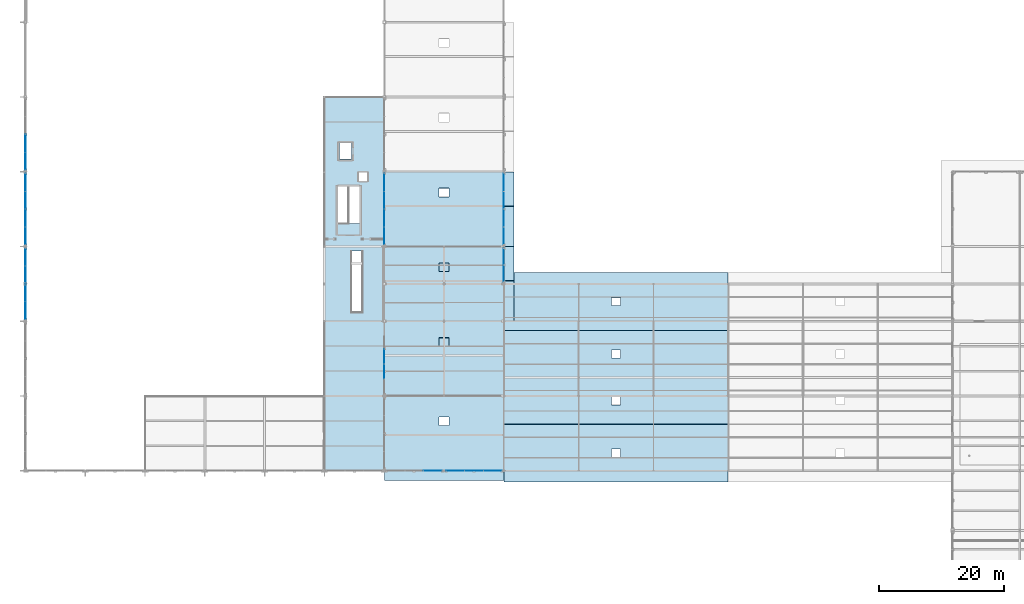
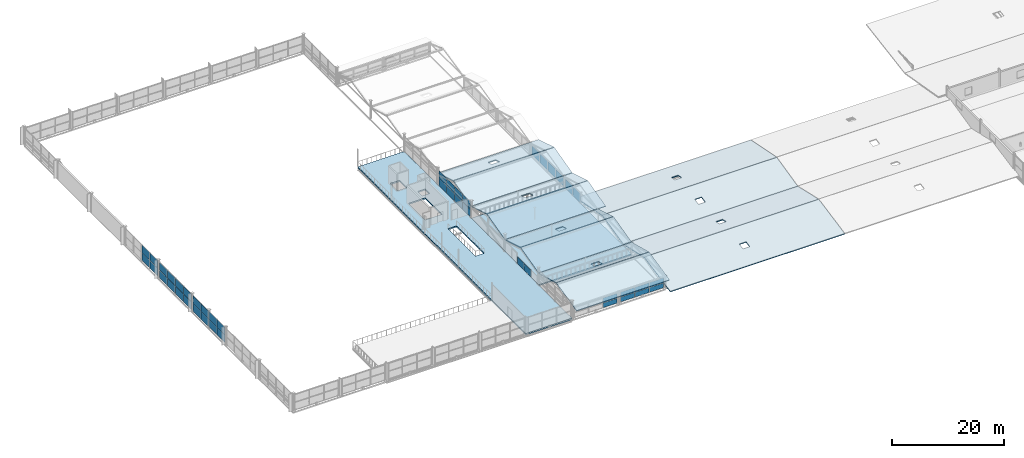
# One storey, part 93 of 117: 44 plates, 14 slabs, 9 elements without a shape of their own.
"""IFC4 building model written with IfcOpenShell, lengths in metres."""

from ifc_helpers import new_model, si_unit, direction, frame, origin, origin_2d, place, context, subcontext, project, spatial, polyline, rectangle, outline, extrude, material, layer, layer_set, type_object, element, aggregate, save


model = new_model("IFC4")

# Units and contexts
model_context = context("Model", 3, precision=1e-05, world=origin(), true_north=direction((0.0, 1.0)))
body_context = subcontext(model_context, "Body", "Model", "MODEL_VIEW")
ifc_project = project(units=[si_unit("LENGTHUNIT", "METRE"), si_unit("AREAUNIT", "SQUARE_METRE"), si_unit("VOLUMEUNIT", "CUBIC_METRE"), si_unit("PLANEANGLEUNIT", "RADIAN"), si_unit("MASSUNIT", "GRAM", prefix="KILO")], contexts=[model_context])

# Site, building, storey
site_placement = place(None, origin())
site = spatial("IfcSite", under=ifc_project, at=site_placement, CompositionType="ELEMENT")
building_placement = place(site_placement, origin())
building = spatial("IfcBuilding", under=site, at=building_placement, Name="Merenkruunu Market Hall", CompositionType="ELEMENT")
storey_placement = place(building_placement, frame((0.0, 0.0, 10.199951171875)))
storey = spatial("IfcBuildingStorey", under=building, at=storey_placement, Name="L02", CompositionType="ELEMENT", Elevation=10.199951171875)

# Curtain wall, plates
ifc_material_1 = material(Name="Powder-coated aluminium", Category="aluminium")
curtain_wall_type_1 = type_object("IfcCurtainWallType", Name="Glazed Curtain Wall CW13", PredefinedType="USERDEFINED", material=ifc_material_1)
curtain_wall_1_placement = place(storey_placement, origin())
curtain_wall_1 = element("IfcCurtainWall", 1, at=curtain_wall_1_placement, inside=storey, type_object=curtain_wall_type_1, Name="CW-L02-CWM02-009", ObjectType="GLAZED_FACADE", PredefinedType="USERDEFINED")
ifc_material_2 = material(Name="Triple low-E insulated glass", Category="glass")
ifc_layer_1 = layer(ifc_material_2, 0.035888671875)
ifc_layer_set_1 = layer_set([ifc_layer_1], Name="Triple low-E insulated glass")
plate_type_1 = type_object("IfcPlateType", Name="Curtain Wall Glazing Panel CWP05", PredefinedType="CURTAIN_PANEL", material=ifc_layer_set_1)
plate_1_placement = place(storey_placement, frame((0.0, 41.324951171875, 0.06005859375), z_axis=(0.0, 0.0, 1.0), x_axis=(0.0, 1.0, 0.0)))
plate_1 = element("IfcPlate", 2, at=plate_1_placement, type_object=plate_type_1, Name="CW13 panel 1.1", PredefinedType="CURTAIN_PANEL", context=body_context, shape_type="SweptSolid", body=[
    extrude(rectangle(XDim=2.77001953125, YDim=0.035888671875, at=origin_2d()), origin(), (0.0, 0.0, 1.0), 1.659912109375),
])
plate_2_placement = place(storey_placement, frame((0.0, 41.324951171875, 1.7802734375), z_axis=(0.0, 0.0, 1.0), x_axis=(0.0, 1.0, 0.0)))
plate_2 = element("IfcPlate", 3, at=plate_2_placement, type_object=plate_type_1, Name="CW13 panel 1.2", PredefinedType="CURTAIN_PANEL", context=body_context, shape_type="SweptSolid", body=[
    extrude(rectangle(XDim=2.77001953125, YDim=0.035888671875, at=origin_2d()), origin(), (0.0, 0.0, 1.0), 1.659912109375),
])
plate_3_placement = place(storey_placement, frame((0.0, 44.169921875, 0.06005859375), z_axis=(0.0, 0.0, 1.0), x_axis=(0.0, 1.0, 0.0)))
plate_3 = element("IfcPlate", 4, at=plate_3_placement, type_object=plate_type_1, Name="CW13 panel 2.1", PredefinedType="CURTAIN_PANEL", context=body_context, shape_type="SweptSolid", body=[
    extrude(rectangle(XDim=2.800048828125, YDim=0.035888671875, at=origin_2d()), origin(), (0.0, 0.0, 1.0), 1.659912109375),
])
plate_4_placement = place(storey_placement, frame((0.0, 44.169921875, 1.7802734375), z_axis=(0.0, 0.0, 1.0), x_axis=(0.0, 1.0, 0.0)))
plate_4 = element("IfcPlate", 5, at=plate_4_placement, type_object=plate_type_1, Name="CW13 panel 2.2", PredefinedType="CURTAIN_PANEL", context=body_context, shape_type="SweptSolid", body=[
    extrude(rectangle(XDim=2.800048828125, YDim=0.035888671875, at=origin_2d()), origin(), (0.0, 0.0, 1.0), 1.659912109375),
])
plate_5_placement = place(storey_placement, frame((0.0, 47.030029296875, 0.06005859375), z_axis=(0.0, 0.0, 1.0), x_axis=(0.0, 1.0, 0.0)))
plate_5 = element("IfcPlate", 6, at=plate_5_placement, type_object=plate_type_1, Name="CW13 panel 3.1", PredefinedType="CURTAIN_PANEL", context=body_context, shape_type="SweptSolid", body=[
    extrude(rectangle(XDim=2.800048828125, YDim=0.035888671875, at=origin_2d()), origin(), (0.0, 0.0, 1.0), 1.659912109375),
])
plate_6_placement = place(storey_placement, frame((0.0, 47.030029296875, 1.7802734375), z_axis=(0.0, 0.0, 1.0), x_axis=(0.0, 1.0, 0.0)))
plate_6 = element("IfcPlate", 7, at=plate_6_placement, type_object=plate_type_1, Name="CW13 panel 3.2", PredefinedType="CURTAIN_PANEL", context=body_context, shape_type="SweptSolid", body=[
    extrude(rectangle(XDim=2.800048828125, YDim=0.035888671875, at=origin_2d()), origin(), (0.0, 0.0, 1.0), 1.659912109375),
])
plate_7_placement = place(storey_placement, frame((0.0, 49.875, 0.06005859375), z_axis=(0.0, 0.0, 1.0), x_axis=(0.0, 1.0, 0.0)))
plate_7 = element("IfcPlate", 8, at=plate_7_placement, type_object=plate_type_1, Name="CW13 panel 4.1", PredefinedType="CURTAIN_PANEL", context=body_context, shape_type="SweptSolid", body=[
    extrude(rectangle(XDim=2.77001953125, YDim=0.035888671875, at=origin_2d()), origin(), (0.0, 0.0, 1.0), 1.659912109375),
])
plate_8_placement = place(storey_placement, frame((0.0, 49.875, 1.7802734375), z_axis=(0.0, 0.0, 1.0), x_axis=(0.0, 1.0, 0.0)))
plate_8 = element("IfcPlate", 9, at=plate_8_placement, type_object=plate_type_1, Name="CW13 panel 4.2", PredefinedType="CURTAIN_PANEL", context=body_context, shape_type="SweptSolid", body=[
    extrude(rectangle(XDim=2.77001953125, YDim=0.035888671875, at=origin_2d()), origin(), (0.0, 0.0, 1.0), 1.659912109375),
])
aggregate(curtain_wall_1, [plate_1, plate_2, plate_3, plate_4, plate_5, plate_6, plate_7, plate_8])

curtain_wall_2_placement = place(storey_placement, origin())
curtain_wall_2 = element("IfcCurtainWall", 10, at=curtain_wall_2_placement, inside=storey, type_object=curtain_wall_type_1, Name="CW-L02-CWM02-012", ObjectType="GLAZED_FACADE", PredefinedType="USERDEFINED")
plate_9_placement = place(storey_placement, frame((0.0, 53.324951171875, 0.06005859375), z_axis=(0.0, 0.0, 1.0), x_axis=(0.0, 1.0, 0.0)))
plate_9 = element("IfcPlate", 11, at=plate_9_placement, type_object=plate_type_1, Name="CW13 panel 1.1", PredefinedType="CURTAIN_PANEL", context=body_context, shape_type="SweptSolid", body=[
    extrude(rectangle(XDim=2.77001953125, YDim=0.035888671875, at=origin_2d()), origin(), (0.0, 0.0, 1.0), 1.659912109375),
])
plate_10_placement = place(storey_placement, frame((0.0, 53.324951171875, 1.7802734375), z_axis=(0.0, 0.0, 1.0), x_axis=(0.0, 1.0, 0.0)))
plate_10 = element("IfcPlate", 12, at=plate_10_placement, type_object=plate_type_1, Name="CW13 panel 1.2", PredefinedType="CURTAIN_PANEL", context=body_context, shape_type="SweptSolid", body=[
    extrude(rectangle(XDim=2.77001953125, YDim=0.035888671875, at=origin_2d()), origin(), (0.0, 0.0, 1.0), 1.659912109375),
])
plate_11_placement = place(storey_placement, frame((0.0, 56.169921875, 0.06005859375), z_axis=(0.0, 0.0, 1.0), x_axis=(0.0, 1.0, 0.0)))
plate_11 = element("IfcPlate", 13, at=plate_11_placement, type_object=plate_type_1, Name="CW13 panel 2.1", PredefinedType="CURTAIN_PANEL", context=body_context, shape_type="SweptSolid", body=[
    extrude(rectangle(XDim=2.800048828125, YDim=0.035888671875, at=origin_2d()), origin(), (0.0, 0.0, 1.0), 1.659912109375),
])
plate_12_placement = place(storey_placement, frame((0.0, 56.169921875, 1.7802734375), z_axis=(0.0, 0.0, 1.0), x_axis=(0.0, 1.0, 0.0)))
plate_12 = element("IfcPlate", 14, at=plate_12_placement, type_object=plate_type_1, Name="CW13 panel 2.2", PredefinedType="CURTAIN_PANEL", context=body_context, shape_type="SweptSolid", body=[
    extrude(rectangle(XDim=2.800048828125, YDim=0.035888671875, at=origin_2d()), origin(), (0.0, 0.0, 1.0), 1.659912109375),
])
plate_13_placement = place(storey_placement, frame((0.0, 59.030029296875, 0.06005859375), z_axis=(0.0, 0.0, 1.0), x_axis=(0.0, 1.0, 0.0)))
plate_13 = element("IfcPlate", 15, at=plate_13_placement, type_object=plate_type_1, Name="CW13 panel 3.1", PredefinedType="CURTAIN_PANEL", context=body_context, shape_type="SweptSolid", body=[
    extrude(rectangle(XDim=2.800048828125, YDim=0.035888671875, at=origin_2d()), origin(), (0.0, 0.0, 1.0), 1.659912109375),
])
plate_14_placement = place(storey_placement, frame((0.0, 59.030029296875, 1.7802734375), z_axis=(0.0, 0.0, 1.0), x_axis=(0.0, 1.0, 0.0)))
plate_14 = element("IfcPlate", 16, at=plate_14_placement, type_object=plate_type_1, Name="CW13 panel 3.2", PredefinedType="CURTAIN_PANEL", context=body_context, shape_type="SweptSolid", body=[
    extrude(rectangle(XDim=2.800048828125, YDim=0.035888671875, at=origin_2d()), origin(), (0.0, 0.0, 1.0), 1.659912109375),
])
plate_15_placement = place(storey_placement, frame((0.0, 61.875, 0.06005859375), z_axis=(0.0, 0.0, 1.0), x_axis=(0.0, 1.0, 0.0)))
plate_15 = element("IfcPlate", 17, at=plate_15_placement, type_object=plate_type_1, Name="CW13 panel 4.1", PredefinedType="CURTAIN_PANEL", context=body_context, shape_type="SweptSolid", body=[
    extrude(rectangle(XDim=2.77001953125, YDim=0.035888671875, at=origin_2d()), origin(), (0.0, 0.0, 1.0), 1.659912109375),
])
plate_16_placement = place(storey_placement, frame((0.0, 61.875, 1.7802734375), z_axis=(0.0, 0.0, 1.0), x_axis=(0.0, 1.0, 0.0)))
plate_16 = element("IfcPlate", 18, at=plate_16_placement, type_object=plate_type_1, Name="CW13 panel 4.2", PredefinedType="CURTAIN_PANEL", context=body_context, shape_type="SweptSolid", body=[
    extrude(rectangle(XDim=2.77001953125, YDim=0.035888671875, at=origin_2d()), origin(), (0.0, 0.0, 1.0), 1.659912109375),
])
aggregate(curtain_wall_2, [plate_9, plate_10, plate_11, plate_12, plate_13, plate_14, plate_15, plate_16])

curtain_wall_3_placement = place(storey_placement, origin())
curtain_wall_3 = element("IfcCurtainWall", 19, at=curtain_wall_3_placement, inside=storey, type_object=curtain_wall_type_1, Name="CW-L02-CWM02-015", ObjectType="GLAZED_FACADE", PredefinedType="USERDEFINED")
plate_17_placement = place(storey_placement, frame((0.0, 65.324951171875, 0.06005859375), z_axis=(0.0, 0.0, 1.0), x_axis=(0.0, 1.0, 0.0)))
plate_17 = element("IfcPlate", 20, at=plate_17_placement, type_object=plate_type_1, Name="CW13 panel 1.1", PredefinedType="CURTAIN_PANEL", context=body_context, shape_type="SweptSolid", body=[
    extrude(rectangle(XDim=2.77001953125, YDim=0.035888671875, at=origin_2d()), origin(), (0.0, 0.0, 1.0), 1.659912109375),
])
plate_18_placement = place(storey_placement, frame((0.0, 65.324951171875, 1.7802734375), z_axis=(0.0, 0.0, 1.0), x_axis=(0.0, 1.0, 0.0)))
plate_18 = element("IfcPlate", 21, at=plate_18_placement, type_object=plate_type_1, Name="CW13 panel 1.2", PredefinedType="CURTAIN_PANEL", context=body_context, shape_type="SweptSolid", body=[
    extrude(rectangle(XDim=2.77001953125, YDim=0.035888671875, at=origin_2d()), origin(), (0.0, 0.0, 1.0), 1.659912109375),
])
plate_19_placement = place(storey_placement, frame((0.0, 68.169921875, 0.06005859375), z_axis=(0.0, 0.0, 1.0), x_axis=(0.0, 1.0, 0.0)))
plate_19 = element("IfcPlate", 22, at=plate_19_placement, type_object=plate_type_1, Name="CW13 panel 2.1", PredefinedType="CURTAIN_PANEL", context=body_context, shape_type="SweptSolid", body=[
    extrude(rectangle(XDim=2.800048828125, YDim=0.035888671875, at=origin_2d()), origin(), (0.0, 0.0, 1.0), 1.659912109375),
])
plate_20_placement = place(storey_placement, frame((0.0, 68.169921875, 1.7802734375), z_axis=(0.0, 0.0, 1.0), x_axis=(0.0, 1.0, 0.0)))
plate_20 = element("IfcPlate", 23, at=plate_20_placement, type_object=plate_type_1, Name="CW13 panel 2.2", PredefinedType="CURTAIN_PANEL", context=body_context, shape_type="SweptSolid", body=[
    extrude(rectangle(XDim=2.800048828125, YDim=0.035888671875, at=origin_2d()), origin(), (0.0, 0.0, 1.0), 1.659912109375),
])
aggregate(curtain_wall_3, [plate_17, plate_18, plate_19, plate_20])

curtain_wall_type_2 = type_object("IfcCurtainWallType", Name="Clerestory Curtain Band CL02", PredefinedType="USERDEFINED", material=ifc_material_1)
curtain_wall_4_placement = place(storey_placement, origin())
curtain_wall_4 = element("IfcCurtainWall", 24, at=curtain_wall_4_placement, inside=storey, type_object=curtain_wall_type_2, Name="CW-L02-CWM04-158", ObjectType="CLERESTORY_BAND", PredefinedType="USERDEFINED")
ifc_layer_2 = layer(ifc_material_2, 0.035888671875)
ifc_layer_set_2 = layer_set([ifc_layer_2], Name="Triple low-E insulated glass")
plate_type_2 = type_object("IfcPlateType", Name="Curtain Wall Glazing Panel CWP07", PredefinedType="CURTAIN_PANEL", material=ifc_layer_set_2)
plate_21_placement = place(storey_placement, frame((76.800048828125, 49.9423828125, 0.06005859375), z_axis=(0.0, 0.0, 1.0), x_axis=(0.0, -1.0, 0.0)))
plate_21 = element("IfcPlate", 25, at=plate_21_placement, type_object=plate_type_2, Name="CL02 panel 1.1", PredefinedType="CURTAIN_PANEL", context=body_context, shape_type="SweptSolid", body=[
    extrude(rectangle(XDim=2.614990234375, YDim=0.035888671875, at=origin_2d()), origin(), (0.0, 0.0, 1.0), 1.97998046875),
])
plate_22_placement = place(storey_placement, frame((76.800048828125, 47.257568359375, 0.06005859375), z_axis=(0.0, 0.0, 1.0), x_axis=(0.0, -1.0, 0.0)))
plate_22 = element("IfcPlate", 26, at=plate_22_placement, type_object=plate_type_2, Name="CL02 panel 2.1", PredefinedType="CURTAIN_PANEL", context=body_context, shape_type="SweptSolid", body=[
    extrude(rectangle(XDim=2.614990234375, YDim=0.035888671875, at=origin_2d()), origin(), (0.0, 0.0, 1.0), 1.97998046875),
])
aggregate(curtain_wall_4, [plate_21, plate_22])

curtain_wall_5_placement = place(storey_placement, origin())
curtain_wall_5 = element("IfcCurtainWall", 27, at=curtain_wall_5_placement, inside=storey, type_object=curtain_wall_type_2, Name="CW-L02-CWM04-161", ObjectType="CLERESTORY_BAND", PredefinedType="USERDEFINED")
plate_23_placement = place(storey_placement, frame((76.800048828125, 61.87255859375, 0.06005859375), z_axis=(0.0, 0.0, 1.0), x_axis=(0.0, -1.0, 0.0)))
plate_23 = element("IfcPlate", 28, at=plate_23_placement, type_object=plate_type_2, Name="CL02 panel 1.1", PredefinedType="CURTAIN_PANEL", context=body_context, shape_type="SweptSolid", body=[
    extrude(rectangle(XDim=2.7548828125, YDim=0.035888671875, at=origin_2d()), origin(), (0.0, 0.0, 1.0), 1.97998046875),
])
plate_24_placement = place(storey_placement, frame((76.800048828125, 59.030029296875, 0.06005859375), z_axis=(0.0, 0.0, 1.0), x_axis=(0.0, -1.0, 0.0)))
plate_24 = element("IfcPlate", 29, at=plate_24_placement, type_object=plate_type_2, Name="CL02 panel 2.1", PredefinedType="CURTAIN_PANEL", context=body_context, shape_type="SweptSolid", body=[
    extrude(rectangle(XDim=2.7900390625, YDim=0.035888671875, at=origin_2d()), origin(), (0.0, 0.0, 1.0), 1.97998046875),
])
plate_25_placement = place(storey_placement, frame((76.800048828125, 56.169921875, 0.06005859375), z_axis=(0.0, 0.0, 1.0), x_axis=(0.0, -1.0, 0.0)))
plate_25 = element("IfcPlate", 30, at=plate_25_placement, type_object=plate_type_2, Name="CL02 panel 3.1", PredefinedType="CURTAIN_PANEL", context=body_context, shape_type="SweptSolid", body=[
    extrude(rectangle(XDim=2.7900390625, YDim=0.035888671875, at=origin_2d()), origin(), (0.0, 0.0, 1.0), 1.97998046875),
])
plate_26_placement = place(storey_placement, frame((76.800048828125, 53.327392578125, 0.06005859375), z_axis=(0.0, 0.0, 1.0), x_axis=(0.0, -1.0, 0.0)))
plate_26 = element("IfcPlate", 31, at=plate_26_placement, type_object=plate_type_2, Name="CL02 panel 4.1", PredefinedType="CURTAIN_PANEL", context=body_context, shape_type="SweptSolid", body=[
    extrude(rectangle(XDim=2.7548828125, YDim=0.035888671875, at=origin_2d()), origin(), (0.0, 0.0, 1.0), 1.97998046875),
])
aggregate(curtain_wall_5, [plate_23, plate_24, plate_25, plate_26])

curtain_wall_type_3 = type_object("IfcCurtainWallType", Name="Glazed Curtain Wall CW16", PredefinedType="USERDEFINED", material=ifc_material_1)
curtain_wall_6_placement = place(storey_placement, origin())
curtain_wall_6 = element("IfcCurtainWall", 32, at=curtain_wall_6_placement, inside=storey, type_object=curtain_wall_type_3, Name="CW-L02-CWM02-126", ObjectType="GLAZED_FACADE", PredefinedType="USERDEFINED")
ifc_layer_3 = layer(ifc_material_2, 0.035888671875)
ifc_layer_set_3 = layer_set([ifc_layer_3], Name="Triple low-E insulated glass")
plate_type_3 = type_object("IfcPlateType", Name="Curtain Wall Glazing Panel CWP09", PredefinedType="CURTAIN_PANEL", material=ifc_layer_set_3)
plate_27_placement = place(storey_placement, frame((57.60009765625, 31.5400390625, 0.06005859375), z_axis=(0.0, 0.0, 1.0), x_axis=(0.0, 1.0, 0.0)))
plate_27 = element("IfcPlate", 33, at=plate_27_placement, type_object=plate_type_3, Name="CW16 panel 2.1", PredefinedType="CURTAIN_PANEL", context=body_context, shape_type="SweptSolid", body=[
    extrude(rectangle(XDim=2.3798828125, YDim=0.035888671875, at=origin_2d()), origin(), (0.0, 0.0, 1.0), 1.530029296875),
])
plate_28_placement = place(storey_placement, frame((57.60009765625, 33.965087890625, 0.06005859375), z_axis=(0.0, 0.0, 1.0), x_axis=(0.0, 1.0, 0.0)))
plate_28 = element("IfcPlate", 34, at=plate_28_placement, type_object=plate_type_3, Name="CW16 panel 3.1", PredefinedType="CURTAIN_PANEL", context=body_context, shape_type="SweptSolid", body=[
    extrude(rectangle(XDim=2.35009765625, YDim=0.035888671875, at=origin_2d()), origin(), (0.0, 0.0, 1.0), 1.530029296875),
])
aggregate(curtain_wall_6, [plate_27, plate_28])

curtain_wall_7_placement = place(storey_placement, origin())
curtain_wall_7 = element("IfcCurtainWall", 35, at=curtain_wall_7_placement, inside=storey, type_object=curtain_wall_type_1, Name="CW-L02-CWM02-129", ObjectType="GLAZED_FACADE", PredefinedType="USERDEFINED")
plate_29_placement = place(storey_placement, frame((57.60009765625, 53.324951171875, 0.06005859375), z_axis=(0.0, 0.0, 1.0), x_axis=(0.0, 1.0, 0.0)))
plate_29 = element("IfcPlate", 36, at=plate_29_placement, type_object=plate_type_3, Name="CW13 panel 1.1", PredefinedType="CURTAIN_PANEL", context=body_context, shape_type="SweptSolid", body=[
    extrude(rectangle(XDim=2.77001953125, YDim=0.035888671875, at=origin_2d()), origin(), (0.0, 0.0, 1.0), 1.610107421875),
])
plate_30_placement = place(storey_placement, frame((57.60009765625, 53.324951171875, 1.72998046875), z_axis=(0.0, 0.0, 1.0), x_axis=(0.0, 1.0, 0.0)))
plate_30 = element("IfcPlate", 37, at=plate_30_placement, type_object=plate_type_3, Name="CW13 panel 1.2", PredefinedType="CURTAIN_PANEL", context=body_context, shape_type="SweptSolid", body=[
    extrude(rectangle(XDim=2.77001953125, YDim=0.035888671875, at=origin_2d()), origin(), (0.0, 0.0, 1.0), 1.610107421875),
])
plate_31_placement = place(storey_placement, frame((57.60009765625, 56.169921875, 0.06005859375), z_axis=(0.0, 0.0, 1.0), x_axis=(0.0, 1.0, 0.0)))
plate_31 = element("IfcPlate", 38, at=plate_31_placement, type_object=plate_type_3, Name="CW13 panel 2.1", PredefinedType="CURTAIN_PANEL", context=body_context, shape_type="SweptSolid", body=[
    extrude(rectangle(XDim=2.800048828125, YDim=0.035888671875, at=origin_2d()), origin(), (0.0, 0.0, 1.0), 1.610107421875),
])
plate_32_placement = place(storey_placement, frame((57.60009765625, 56.169921875, 1.72998046875), z_axis=(0.0, 0.0, 1.0), x_axis=(0.0, 1.0, 0.0)))
plate_32 = element("IfcPlate", 39, at=plate_32_placement, type_object=plate_type_3, Name="CW13 panel 2.2", PredefinedType="CURTAIN_PANEL", context=body_context, shape_type="SweptSolid", body=[
    extrude(rectangle(XDim=2.800048828125, YDim=0.035888671875, at=origin_2d()), origin(), (0.0, 0.0, 1.0), 1.610107421875),
])
plate_33_placement = place(storey_placement, frame((57.60009765625, 59.030029296875, 0.06005859375), z_axis=(0.0, 0.0, 1.0), x_axis=(0.0, 1.0, 0.0)))
plate_33 = element("IfcPlate", 40, at=plate_33_placement, type_object=plate_type_3, Name="CW13 panel 3.1", PredefinedType="CURTAIN_PANEL", context=body_context, shape_type="SweptSolid", body=[
    extrude(rectangle(XDim=2.800048828125, YDim=0.035888671875, at=origin_2d()), origin(), (0.0, 0.0, 1.0), 1.610107421875),
])
plate_34_placement = place(storey_placement, frame((57.60009765625, 59.030029296875, 1.72998046875), z_axis=(0.0, 0.0, 1.0), x_axis=(0.0, 1.0, 0.0)))
plate_34 = element("IfcPlate", 41, at=plate_34_placement, type_object=plate_type_3, Name="CW13 panel 3.2", PredefinedType="CURTAIN_PANEL", context=body_context, shape_type="SweptSolid", body=[
    extrude(rectangle(XDim=2.800048828125, YDim=0.035888671875, at=origin_2d()), origin(), (0.0, 0.0, 1.0), 1.610107421875),
])
plate_35_placement = place(storey_placement, frame((57.60009765625, 61.875, 0.06005859375), z_axis=(0.0, 0.0, 1.0), x_axis=(0.0, 1.0, 0.0)))
plate_35 = element("IfcPlate", 42, at=plate_35_placement, type_object=plate_type_3, Name="CW13 panel 4.1", PredefinedType="CURTAIN_PANEL", context=body_context, shape_type="SweptSolid", body=[
    extrude(rectangle(XDim=2.77001953125, YDim=0.035888671875, at=origin_2d()), origin(), (0.0, 0.0, 1.0), 1.610107421875),
])
plate_36_placement = place(storey_placement, frame((57.60009765625, 61.875, 1.72998046875), z_axis=(0.0, 0.0, 1.0), x_axis=(0.0, 1.0, 0.0)))
plate_36 = element("IfcPlate", 43, at=plate_36_placement, type_object=plate_type_3, Name="CW13 panel 4.2", PredefinedType="CURTAIN_PANEL", context=body_context, shape_type="SweptSolid", body=[
    extrude(rectangle(XDim=2.77001953125, YDim=0.035888671875, at=origin_2d()), origin(), (0.0, 0.0, 1.0), 1.610107421875),
])
aggregate(curtain_wall_7, [plate_29, plate_30, plate_31, plate_32, plate_33, plate_34, plate_35, plate_36])

curtain_wall_8_placement = place(storey_placement, origin())
curtain_wall_8 = element("IfcCurtainWall", 44, at=curtain_wall_8_placement, inside=storey, type_object=curtain_wall_type_3, Name="CW-L02-CWM04-141", ObjectType="GLAZED_FACADE", PredefinedType="USERDEFINED")
ifc_layer_4 = layer(ifc_material_2, 0.0380859375)
ifc_layer_set_4 = layer_set([ifc_layer_4], Name="Triple low-E insulated glass")
plate_type_4 = type_object("IfcPlateType", Name="Curtain Wall Glazing Panel CWP10", PredefinedType="CURTAIN_PANEL", material=ifc_layer_set_4)
plate_37_placement = place(storey_placement, frame((65.395751953125, 15.60009765625, 0.06005859375), z_axis=(0.0, 0.0, 1.0), x_axis=(-1.0, 0.0, 0.0)))
plate_37 = element("IfcPlate", 45, at=plate_37_placement, type_object=plate_type_4, Name="CW16 panel 1.1", PredefinedType="CURTAIN_PANEL", context=body_context, shape_type="SweptSolid", body=[
    extrude(rectangle(XDim=2.908447265625, YDim=0.0380859375, at=origin_2d()), origin(), (0.0, 0.0, 1.0), 1.034912109375),
])
plate_38_placement = place(storey_placement, frame((65.395751953125, 15.60009765625, 1.1552734375), z_axis=(0.0, 0.0, 1.0), x_axis=(-1.0, 0.0, 0.0)))
plate_38 = element("IfcPlate", 46, at=plate_38_placement, type_object=plate_type_4, Name="CW16 panel 1.2", PredefinedType="CURTAIN_PANEL", context=body_context, shape_type="SweptSolid", body=[
    extrude(rectangle(XDim=2.908447265625, YDim=0.0380859375, at=origin_2d()), origin(), (0.0, 0.0, 1.0), 1.034912109375),
])
aggregate(curtain_wall_8, [plate_37, plate_38])

curtain_wall_9_placement = place(storey_placement, origin())
curtain_wall_9 = element("IfcCurtainWall", 47, at=curtain_wall_9_placement, inside=storey, type_object=curtain_wall_type_3, Name="CW-L02-CWM04-147", ObjectType="GLAZED_FACADE", PredefinedType="USERDEFINED")
plate_39_placement = place(storey_placement, frame((74.995849609375, 15.60009765625, 0.06005859375), z_axis=(0.0, 0.0, 1.0), x_axis=(-1.0, 0.0, 0.0)))
plate_39 = element("IfcPlate", 48, at=plate_39_placement, type_object=plate_type_4, Name="CW16 panel 1.1", PredefinedType="CURTAIN_PANEL", context=body_context, shape_type="SweptSolid", body=[
    extrude(rectangle(XDim=2.908447265625, YDim=0.0380859375, at=origin_2d()), origin(), (0.0, 0.0, 1.0), 1.034912109375),
])
plate_40_placement = place(storey_placement, frame((74.995849609375, 15.60009765625, 1.1552734375), z_axis=(0.0, 0.0, 1.0), x_axis=(-1.0, 0.0, 0.0)))
plate_40 = element("IfcPlate", 49, at=plate_40_placement, type_object=plate_type_4, Name="CW16 panel 1.2", PredefinedType="CURTAIN_PANEL", context=body_context, shape_type="SweptSolid", body=[
    extrude(rectangle(XDim=2.908447265625, YDim=0.0380859375, at=origin_2d()), origin(), (0.0, 0.0, 1.0), 1.034912109375),
])
plate_41_placement = place(storey_placement, frame((72.0, 15.60009765625, 0.06005859375), z_axis=(0.0, 0.0, 1.0), x_axis=(-1.0, 0.0, 0.0)))
plate_41 = element("IfcPlate", 50, at=plate_41_placement, type_object=plate_type_4, Name="CW16 panel 2.1", PredefinedType="CURTAIN_PANEL", context=body_context, shape_type="SweptSolid", body=[
    extrude(rectangle(XDim=2.943359375, YDim=0.0380859375, at=origin_2d()), origin(), (0.0, 0.0, 1.0), 1.034912109375),
])
plate_42_placement = place(storey_placement, frame((72.0, 15.60009765625, 1.1552734375), z_axis=(0.0, 0.0, 1.0), x_axis=(-1.0, 0.0, 0.0)))
plate_42 = element("IfcPlate", 51, at=plate_42_placement, type_object=plate_type_4, Name="CW16 panel 2.2", PredefinedType="CURTAIN_PANEL", context=body_context, shape_type="SweptSolid", body=[
    extrude(rectangle(XDim=2.943359375, YDim=0.0380859375, at=origin_2d()), origin(), (0.0, 0.0, 1.0), 1.034912109375),
])
plate_43_placement = place(storey_placement, frame((69.004150390625, 15.60009765625, 0.06005859375), z_axis=(0.0, 0.0, 1.0), x_axis=(-1.0, 0.0, 0.0)))
plate_43 = element("IfcPlate", 52, at=plate_43_placement, type_object=plate_type_4, Name="CW16 panel 3.1", PredefinedType="CURTAIN_PANEL", context=body_context, shape_type="SweptSolid", body=[
    extrude(rectangle(XDim=2.908447265625, YDim=0.0380859375, at=origin_2d()), origin(), (0.0, 0.0, 1.0), 1.034912109375),
])
plate_44_placement = place(storey_placement, frame((69.004150390625, 15.60009765625, 1.1552734375), z_axis=(0.0, 0.0, 1.0), x_axis=(-1.0, 0.0, 0.0)))
plate_44 = element("IfcPlate", 53, at=plate_44_placement, type_object=plate_type_4, Name="CW16 panel 3.2", PredefinedType="CURTAIN_PANEL", context=body_context, shape_type="SweptSolid", body=[
    extrude(rectangle(XDim=2.908447265625, YDim=0.0380859375, at=origin_2d()), origin(), (0.0, 0.0, 1.0), 1.034912109375),
])
aggregate(curtain_wall_9, [plate_39, plate_40, plate_41, plate_42, plate_43, plate_44])

# Slabs
ifc_material_3 = material(Name="High-albedo white roof Steel S355ML", Category="steel")
ifc_layer_5 = layer(ifc_material_3, 0.179931640625)
ifc_layer_set_5 = layer_set([ifc_layer_5], Name="High-albedo white roof Steel S355ML")
slab_type_1 = type_object("IfcSlabType", Name="Sloped Or Flat Roof Deck RS02", PredefinedType="ROOF", material=ifc_layer_set_5)
slab_1_placement = place(storey_placement, frame((76.800048828125, 13.800048828125, 0.199951171875), z_axis=(0.0, -0.195110908109, 0.98078118535), x_axis=(1.0, 0.0, 0.0)))
element("IfcSlab", 54, at=slab_1_placement, inside=storey, type_object=slab_type_1, Name="SL-ROOF-V2-1-F1S", PredefinedType="ROOF", context=body_context, shape_type="SweptSolid", body=[
    extrude(outline(polyline([(0.0, 0.0), (36.0, 0.0), (36.0, 9.482287147264152), (0.0, 9.482287147264152), (0.0, 0.0)]), holes=[polyline([(17.300048828125, 4.078413208303833), (18.699951171875, 4.078413208303833), (18.699951171875, 5.403921573459369), (17.300048828125, 5.403921573459369), (17.300048828125, 4.078413208303833)])]), origin(), (0.0, 0.0, -1.0), 0.179931640625),
])
slab_2_placement = place(storey_placement, frame((76.800048828125, 23.10009765625, 2.050048828125), z_axis=(0.0, 0.221052991553, 0.975261798147), x_axis=(1.0, 0.0, 0.0)))
element("IfcSlab", 55, at=slab_2_placement, inside=storey, type_object=slab_type_1, Name="SL-ROOF-V2-1-F1N", PredefinedType="ROOF", context=body_context, shape_type="SweptSolid", body=[
    extrude(outline(polyline([(0.0, 0.0), (36.0, 0.0), (36.0, 7.69024277814161), (0.0, 7.69024277814161), (0.0, 0.0)]), holes=[polyline([(17.300048828125, 3.1784886622962816), (18.699951171875, 3.1784886622962816), (18.699951171875, 4.51151601482039), (17.300048828125, 4.51151601482039), (17.300048828125, 3.1784886622962816)])]), origin(), (0.0, 0.0, -1.0), 0.179931640625),
])
slab_3_placement = place(storey_placement, frame((76.800048828125, 30.60009765625, 0.35009765625), z_axis=(0.0, -0.227229615606, 0.973841209742), x_axis=(1.0, 0.0, 0.0)))
element("IfcSlab", 56, at=slab_3_placement, inside=storey, type_object=slab_type_1, Name="SL-ROOF-V2-1-F2S", PredefinedType="ROOF", context=body_context, shape_type="SweptSolid", body=[
    extrude(outline(polyline([(0.0, 0.0), (36.0, 0.0), (36.0, 7.701460900374682), (0.0, 7.701460900374682), (0.0, 0.0)]), holes=[polyline([(17.300048828125, 3.183084951542422), (18.699951171875, 3.183084951542422), (18.699951171875, 4.51808271865029), (17.300048828125, 4.51808271865029), (17.300048828125, 3.183084951542422)])]), origin(), (0.0, 0.0, -1.0), 0.179931640625),
])
slab_4_placement = place(storey_placement, frame((76.800048828125, 38.10009765625, 2.10009765625), z_axis=(0.0, 0.195115835209, 0.980780205169), x_axis=(1.0, 0.0, 0.0)))
element("IfcSlab", 57, at=slab_4_placement, inside=storey, type_object=slab_type_1, Name="SL-ROOF-V2-1-F2N", PredefinedType="ROOF", context=body_context, shape_type="SweptSolid", body=[
    extrude(outline(polyline([(0.0, 0.0), (36.0, 0.0), (36.0, 9.48204769885222), (0.0, 9.48204769885222), (0.0, 0.0)]), holes=[polyline([(17.300048828125, 4.0783655733470665), (18.699951171875, 4.0783655733470665), (18.699951171875, 5.403682125505155), (17.300048828125, 5.403682125505155), (17.300048828125, 4.0783655733470665)])]), origin(), (0.0, 0.0, -1.0), 0.179931640625),
])
slab_5_placement = place(storey_placement, frame((57.60009765625, 14.030029296875, 2.60009765625), z_axis=(0.0, -0.220916004558, 0.975292837526), x_axis=(1.0, 0.0, 0.0)))
element("IfcSlab", 58, at=slab_5_placement, inside=storey, type_object=slab_type_1, Name="SL-ROOF-V4-SAW01A", PredefinedType="ROOF", context=body_context, shape_type="SweptSolid", body=[
    extrude(outline(polyline([(0.0, 0.0), (19.199951171875, 0.0), (19.199951171875, 7.468460001562634), (0.0, 7.468460001562634), (0.0, 0.0)])), origin(), (0.0, 0.0, -1.0), 0.179931640625),
])
slab_6_placement = place(storey_placement, frame((57.60009765625, 21.3740234375, 4.25), z_axis=(0.0, 0.257316633525, 0.966327144455), x_axis=(1.0, 0.0, 0.0)))
element("IfcSlab", 59, at=slab_6_placement, inside=storey, type_object=slab_type_1, Name="SL-ROOF-V4-SAW01B", PredefinedType="ROOF", context=body_context, shape_type="SweptSolid", body=[
    extrude(outline(polyline([(0.0, 0.0), (19.199951171875, 0.0), (19.199951171875, 6.411953713011715), (0.0, 6.411953713011715), (0.0, 0.0)]), holes=[polyline([(8.7998046875, 1.5211753662858014), (10.39990234375, 1.5211753662858014), (10.39990234375, 2.9698673452164748), (8.7998046875, 2.9698673452164748), (8.7998046875, 1.5211753662858014)])]), origin(), (0.0, 0.0, -1.0), 0.179931640625),
])
slab_7_placement = place(storey_placement, frame((57.60009765625, 27.6298828125, 2.60009765625), z_axis=(0.0, -0.24889989154, 0.968529216901), x_axis=(1.0, 0.0, 0.0)))
element("IfcSlab", 60, at=slab_7_placement, inside=storey, type_object=slab_type_1, Name="SL-ROOF-V4-SAW02A", PredefinedType="ROOF", context=body_context, shape_type="SweptSolid", body=[
    extrude(outline(polyline([(0.0, 0.0), (19.199951171875, 0.0), (19.199951171875, 6.628778877900357), (0.0, 6.628778877900357), (0.0, 0.0)])), origin(), (0.0, 0.0, -1.0), 0.179931640625),
])
slab_8_placement = place(storey_placement, frame((57.60009765625, 34.110107421875, 4.25), z_axis=(0.0, 0.289263634629, 0.957249470975), x_axis=(1.0, 0.0, 0.0)))
element("IfcSlab", 61, at=slab_8_placement, inside=storey, type_object=slab_type_1, Name="SL-ROOF-V4-SAW02B", PredefinedType="ROOF", context=body_context, shape_type="SweptSolid", body=[
    extrude(outline(polyline([(0.0, 0.0), (19.199951171875, 0.0), (19.199951171875, 5.7038014677000834), (0.0, 5.7038014677000834), (0.0, 0.0)]), holes=[polyline([(8.7998046875, 1.535588285187606), (10.39990234375, 1.535588285187606), (10.39990234375, 2.9980302640402967), (8.7998046875, 2.9980302640402967), (8.7998046875, 1.535588285187606)])]), origin(), (0.0, 0.0, -1.0), 0.179931640625),
])
slab_9_placement = place(storey_placement, frame((57.60009765625, 39.6298828125, 2.60009765625), z_axis=(0.0, -0.24889989154, 0.968529216901), x_axis=(1.0, 0.0, 0.0)))
element("IfcSlab", 62, at=slab_9_placement, inside=storey, type_object=slab_type_1, Name="SL-ROOF-V4-SAW03A", PredefinedType="ROOF", context=body_context, shape_type="SweptSolid", body=[
    extrude(outline(polyline([(0.0, 0.0), (20.7998046875, 0.0), (20.7998046875, 6.628778877900359), (0.0, 6.628778877900359), (0.0, 0.0)])), origin(), (0.0, 0.0, -1.0), 0.179931640625),
])
slab_10_placement = place(storey_placement, frame((57.60009765625, 46.110107421875, 4.25), z_axis=(0.0, 0.289263634629, 0.957249470975), x_axis=(1.0, 0.0, 0.0)))
element("IfcSlab", 63, at=slab_10_placement, inside=storey, type_object=slab_type_1, Name="SL-ROOF-V4-SAW03B", PredefinedType="ROOF", context=body_context, shape_type="SweptSolid", body=[
    extrude(outline(polyline([(0.0, 0.0), (20.7998046875, 0.0), (20.7998046875, 5.7038014677000834), (0.0, 5.7038014677000834), (0.0, 0.0)]), holes=[polyline([(8.7998046875, 1.535588285187606), (10.39990234375, 1.535588285187606), (10.39990234375, 2.9980302640402967), (8.7998046875, 2.9980302640402967), (8.7998046875, 1.535588285187606)])]), origin(), (0.0, 0.0, -1.0), 0.179931640625),
])
slab_11_placement = place(storey_placement, frame((57.60009765625, 51.6298828125, 2.60009765625), z_axis=(0.0, -0.24889989154, 0.968529216901), x_axis=(1.0, 0.0, 0.0)))
element("IfcSlab", 64, at=slab_11_placement, inside=storey, type_object=slab_type_1, Name="SL-ROOF-V4-SAW04A", PredefinedType="ROOF", context=body_context, shape_type="SweptSolid", body=[
    extrude(outline(polyline([(0.0, 0.0), (20.7998046875, 0.0), (20.7998046875, 6.628778877900359), (0.0, 6.628778877900359), (0.0, 0.0)])), origin(), (0.0, 0.0, -1.0), 0.179931640625),
])
slab_12_placement = place(storey_placement, frame((57.60009765625, 58.110107421875, 4.25), z_axis=(0.0, 0.289263634629, 0.957249470975), x_axis=(1.0, 0.0, 0.0)))
element("IfcSlab", 65, at=slab_12_placement, inside=storey, type_object=slab_type_1, Name="SL-ROOF-V4-SAW04B", PredefinedType="ROOF", context=body_context, shape_type="SweptSolid", body=[
    extrude(outline(polyline([(0.0, 0.0), (20.7998046875, 0.0), (20.7998046875, 5.7038014677000834), (0.0, 5.7038014677000834), (0.0, 0.0)]), holes=[polyline([(8.7998046875, 1.535588285187606), (10.39990234375, 1.535588285187606), (10.39990234375, 2.9980302640402967), (8.7998046875, 2.9980302640402967), (8.7998046875, 1.535588285187606)])]), origin(), (0.0, 0.0, -1.0), 0.179931640625),
])
ifc_material_4 = material(Name="Concrete C35/45", Category="concrete")
ifc_layer_6 = layer(ifc_material_4, 0.31005859375)
ifc_layer_set_6 = layer_set([ifc_layer_6], Name="Concrete C35/45")
slab_type_2 = type_object("IfcSlabType", Name="Suspended Floor Slab FS04", PredefinedType="FLOOR", material=ifc_layer_set_6)
slab_13_placement = place(storey_placement, frame((0.0, 0.0, -0.31005859375)))
element("IfcSlab", 66, at=slab_13_placement, inside=storey, type_object=slab_type_2, Name="SL-L02-V1E", PredefinedType="FLOOR", context=body_context, shape_type="SweptSolid", body=[
    extrude(outline(polyline([(48.0, 15.60009765625), (57.60009765625, 15.60009765625), (57.60009765625, 75.60009765625), (48.0, 75.60009765625), (48.0, 15.60009765625)]), holes=[polyline([(50.18994140625, 55.260009765625), (53.610107421875, 55.260009765625), (53.610107421875, 61.2099609375), (50.18994140625, 61.2099609375), (50.18994140625, 55.260009765625)]), polyline([(52.284912109375, 41.0), (54.114990234375, 41.0), (54.114990234375, 50.85009765625), (52.284912109375, 50.85009765625), (52.284912109375, 41.0)]), polyline([(50.419921875, 65.6201171875), (52.3798828125, 65.6201171875), (52.3798828125, 68.179931640625), (50.419921875, 68.179931640625), (50.419921875, 65.6201171875)]), polyline([(53.39990234375, 62.0), (55.0, 62.0), (55.0, 63.60009765625), (53.39990234375, 63.60009765625), (53.39990234375, 62.0)])]), origin(), (0.0, 0.0, 1.0), 0.31005859375),
])
ifc_material_5 = material(Name="Precast concrete C40/50", Category="concrete")
ifc_layer_7 = layer(ifc_material_5, 0.27001953125)
ifc_layer_set_7 = layer_set([ifc_layer_7], Name="Precast concrete C40/50")
slab_type_3 = type_object("IfcSlabType", Name="Suspended Floor Slab FS05", PredefinedType="FLOOR", material=ifc_layer_set_7)
slab_14_placement = place(storey_placement, frame((0.0, 0.0, -0.27001953125)))
element("IfcSlab", 67, at=slab_14_placement, inside=storey, type_object=slab_type_3, Name="SL-L02-V4B", PredefinedType="FLOOR", context=body_context, shape_type="SweptSolid", body=[
    extrude(outline(polyline([(57.60009765625, 27.60009765625), (76.800048828125, 27.60009765625), (76.800048828125, 51.60009765625), (57.60009765625, 51.60009765625), (57.60009765625, 27.60009765625)])), origin(), (0.0, 0.0, 1.0), 0.27001953125),
])

save(model, "model.ifc")
